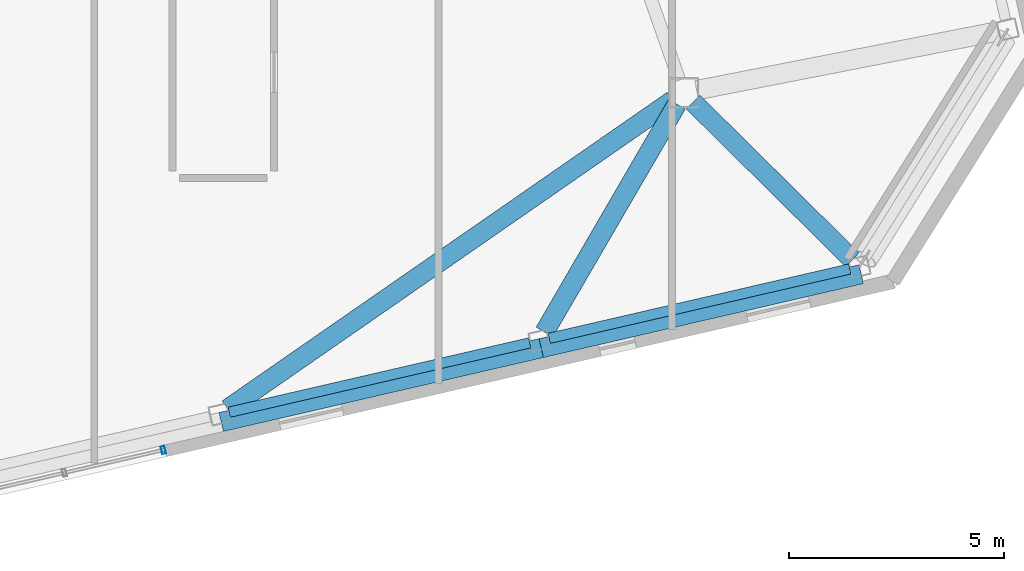
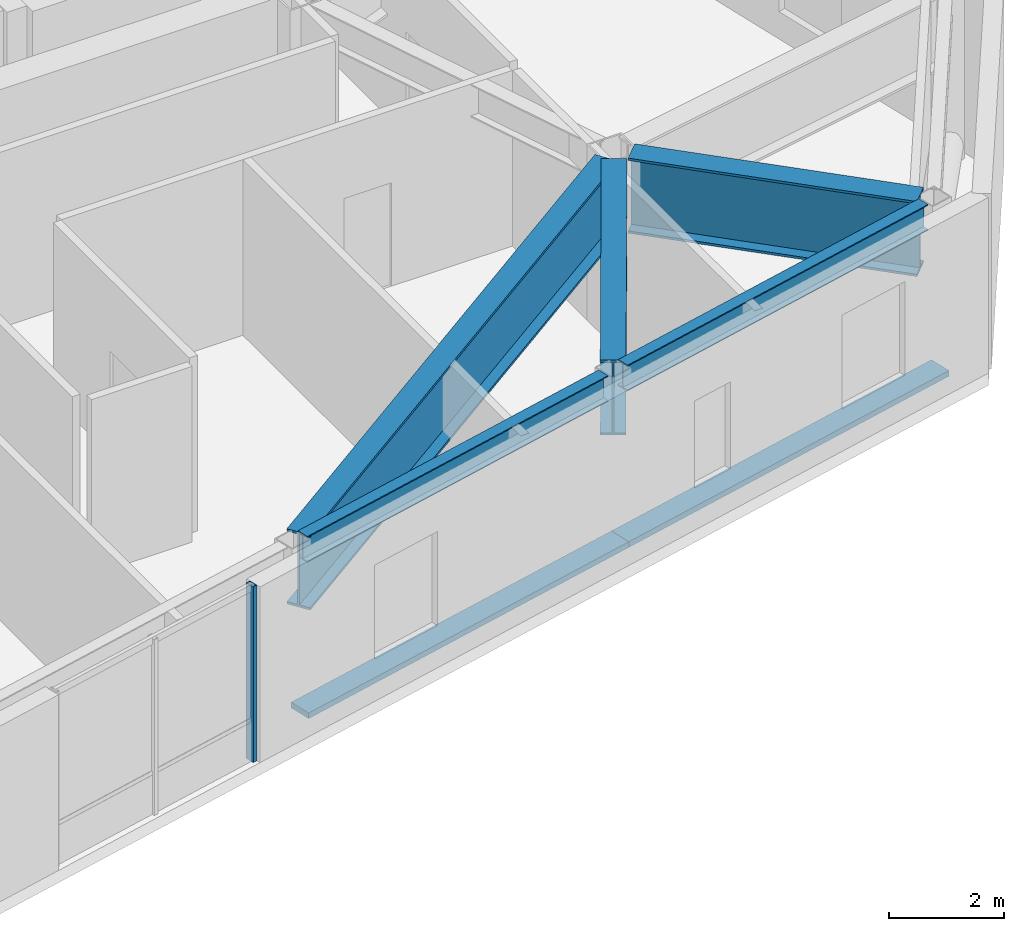
# One storey, part 8 of 21: 5 beams, 3 members, 1 element without a shape of its own.
"""IFC4 building model written with IfcOpenShell, lengths in metres."""

from ifc_helpers import new_model, si_unit, direction, frame, origin, origin_2d, place, context, subcontext, project, spatial, rectangle, hollow_rectangle, i_section, extrude, material, layer, layer_set, material_profile, profile_set, type_object, element, aggregate, save


model = new_model("IFC4")

# Units and contexts
model_context = context("Model", 3, precision=1e-05, world=origin(), true_north=direction((0.0, 1.0)))
body_context = subcontext(model_context, "Body", "Model", "MODEL_VIEW")
ifc_project = project(units=[si_unit("LENGTHUNIT", "METRE"), si_unit("AREAUNIT", "SQUARE_METRE"), si_unit("VOLUMEUNIT", "CUBIC_METRE"), si_unit("PLANEANGLEUNIT", "RADIAN"), si_unit("MASSUNIT", "GRAM", prefix="KILO")], contexts=[model_context])

# Site, building, storey
site_placement = place(None, origin())
site = spatial("IfcSite", under=ifc_project, at=site_placement, CompositionType="ELEMENT")
building_placement = place(site_placement, origin())
building = spatial("IfcBuilding", under=site, at=building_placement, Name="Tavrogorsk Clinical Tower", CompositionType="ELEMENT")
storey_placement = place(building_placement, frame((0.0, 0.0, 281.0)))
storey = spatial("IfcBuildingStorey", under=building, at=storey_placement, Name="L65", CompositionType="ELEMENT", Elevation=281.0)

# Members
ifc_material_1 = material(Name="Anodised aluminium alloy AW-6063", Category="aluminium")
ifc_material_profile_1 = material_profile(ifc_material_1, rectangle(XDim=0.449951171875, YDim=0.1201171875, at=origin_2d()), Name="ALU-SUNSHADE-450x120")
ifc_profile_set_1 = profile_set([ifc_material_profile_1], Name="Anodised aluminium alloy AW-6063")
member_type_1 = type_object("IfcMemberType", Name="ChicagoSunshade_450x120", PredefinedType="USERDEFINED", material=ifc_profile_set_1)
for number, where, z_axis, x_axis, name in (
    (1, (13.751708984375, -20.85498046875, 0.179931640625), (0.974372328168, 0.224941250331, 0.0), (-0.224941250331, 0.974372328168, 0.0), "L65 South Aluminium Sunshade S6"),
    (2, (21.1904296875, -19.1376953125, 0.179931640625), (0.974372328168, 0.224941250331, 0.0), (-0.224941250331, 0.974372328168, 0.0), "L65 South Aluminium Sunshade S7"),
):
    element("IfcMember", number, at=place(storey_placement, frame(where, z_axis=z_axis, x_axis=x_axis)), inside=storey, type_object=member_type_1, Name=name, ObjectType="SUNSHADE", PredefinedType="USERDEFINED", context=body_context, shape_type="SweptSolid", body=[
        extrude(rectangle(XDim=0.449951171875, YDim=0.1201171875, at=origin_2d()), origin(), (0.0, 0.0, 1.0), 7.63427734375),
    ])

# Curtain wall, member
ifc_material_2 = material(Name="Anodised aluminium and triple IGU glazing", Category="aluminium")
ifc_layer = layer(ifc_material_2, 0.179931640625)
ifc_layer_set = layer_set([ifc_layer], Name="Anodised aluminium and triple IGU glazing")
curtain_wall_type = type_object("IfcCurtainWallType", Name="CW3_SouthSlot", PredefinedType="NOTDEFINED", material=ifc_layer_set)
curtain_wall_placement = place(storey_placement, origin())
curtain_wall = element("IfcCurtainWall", 3, at=curtain_wall_placement, inside=storey, type_object=curtain_wall_type, Name="L65 Curtain Wall CW-L65-S-SLOT-2", PredefinedType="NOTDEFINED")
ifc_material_3 = material(Name="Anodised aluminium alloy AW-6060", Category="aluminium")
ifc_material_profile_2 = material_profile(ifc_material_3, hollow_rectangle(XDim=0.090087890625, YDim=0.179931640625, WallThickness=0.00634765625, at=origin_2d()), Name="RHS-180x90x6.3")
ifc_profile_set_2 = profile_set([ifc_material_profile_2], Name="Anodised aluminium alloy AW-6060")
member_type_2 = type_object("IfcMemberType", Name="CwMullion_180x90", PredefinedType="MULLION", material=ifc_profile_set_2)
member_placement = place(storey_placement, frame((12.4052734375, -21.504638671875, 0.0), z_axis=(0.0, 0.0, 1.0), x_axis=(0.974370057377, 0.224951086434, 0.0)))
member = element("IfcMember", 4, at=member_placement, type_object=member_type_2, Name="CW-L65-S-SLOT-2 Mullion 3", PredefinedType="MULLION", context=body_context, shape_type="SweptSolid", body=[
    extrude(hollow_rectangle(XDim=0.090087890625, YDim=0.179931640625, WallThickness=0.00634765625, at=origin_2d()), origin(), (0.0, 0.0, 1.0), 3.739990234375),
])
aggregate(curtain_wall, [member])

# Beams
ifc_material_4 = material(Name="Structural steel S390", Category="steel")
ifc_material_profile_3 = material_profile(ifc_material_4, i_section(OverallWidth=0.239990234375, OverallDepth=0.550048828125, WebThickness=0.013916015625, FlangeThickness=0.02197265625, at=origin_2d()), Name="B-550x240x14x22")
ifc_profile_set_3 = profile_set([ifc_material_profile_3], Name="Structural steel S390")
beam_type_1 = type_object("IfcBeamType", Name="SpandrelBeam_B550", PredefinedType="SPANDREL", material=ifc_profile_set_3)
for number, where, z_axis, x_axis, name in (
    (5, (13.938232421875, -20.627197265625, 3.465087890625), (0.974369378592, 0.224954026551, 0.0), (-0.224954026551, 0.974369378592, 0.0), "L65 Perimeter Spandrel S6-S7"),
    (6, (21.376953125, -18.909912109375, 3.465087890625), (0.974369378592, 0.224954026551, 0.0), (-0.224954026551, 0.974369378592, 0.0), "L65 Perimeter Spandrel S7-S8"),
):
    element("IfcBeam", number, at=place(storey_placement, frame(where, z_axis=z_axis, x_axis=x_axis)), inside=storey, type_object=beam_type_1, Name=name, PredefinedType="SPANDREL", context=body_context, shape_type="SweptSolid", body=[
        extrude(i_section(OverallWidth=0.239990234375, OverallDepth=0.550048828125, WebThickness=0.013916015625, FlangeThickness=0.02197265625, at=origin_2d()), origin(), (0.0, 0.0, 1.0), 7.16845703125),
    ])
ifc_material_5 = material(Name="Structural steel S440", Category="steel")
ifc_material_profile_4 = material_profile(ifc_material_5, i_section(OverallWidth=0.449951171875, OverallDepth=1.60009765625, WebThickness=0.031982421875, FlangeThickness=0.050048828125, at=origin_2d()), Name="DK-1600x450x32x50")
ifc_profile_set_4 = profile_set([ifc_material_profile_4], Name="Structural steel S440")
beam_type_2 = type_object("IfcBeamType", Name="TransferGirder_DK1600", PredefinedType="USERDEFINED", material=ifc_profile_set_4)
beam_1_placement = place(storey_placement, frame((24.245361328125, -13.376708984375, 2.93994140625), z_axis=(-0.821821874963, -0.56974450926, 0.0), x_axis=(0.56974450926, -0.821821874963, 0.0)))
element("IfcBeam", 7, at=beam_1_placement, inside=storey, type_object=beam_type_2, Name="L65 Radial Floor Beam S6", ObjectType="GIRDER", PredefinedType="USERDEFINED", context=body_context, shape_type="SweptSolid", body=[
    extrude(i_section(OverallWidth=0.449951171875, OverallDepth=1.60009765625, WebThickness=0.031982421875, FlangeThickness=0.050048828125, at=origin_2d()), origin(), (0.0, 0.0, 1.0), 12.5849609375),
])
beam_2_placement = place(storey_placement, frame((24.34423828125, -13.468017578125, 2.93994140625), z_axis=(-0.50260105099, -0.864518469174, 0.0), x_axis=(0.864518469174, -0.50260105099, 0.0)))
element("IfcBeam", 8, at=beam_2_placement, inside=storey, type_object=beam_type_2, Name="L65 Radial Floor Beam S7", ObjectType="GIRDER", PredefinedType="USERDEFINED", context=body_context, shape_type="SweptSolid", body=[
    extrude(i_section(OverallWidth=0.449951171875, OverallDepth=1.60009765625, WebThickness=0.031982421875, FlangeThickness=0.050048828125, at=origin_2d()), origin(), (0.0, 0.0, 1.0), 6.12255859375),
])
beam_3_placement = place(storey_placement, frame((24.720458984375, -13.41796875, 2.93994140625), z_axis=(0.710870207436, -0.703323217433, 0.0), x_axis=(0.703323217433, 0.710870207436, 0.0)))
element("IfcBeam", 9, at=beam_3_placement, inside=storey, type_object=beam_type_2, Name="L65 Radial Floor Beam S8", ObjectType="GIRDER", PredefinedType="USERDEFINED", context=body_context, shape_type="SweptSolid", body=[
    extrude(i_section(OverallWidth=0.449951171875, OverallDepth=1.60009765625, WebThickness=0.031982421875, FlangeThickness=0.050048828125, at=origin_2d()), origin(), (0.0, 0.0, 1.0), 5.208251953125),
])

save(model, "model.ifc")
